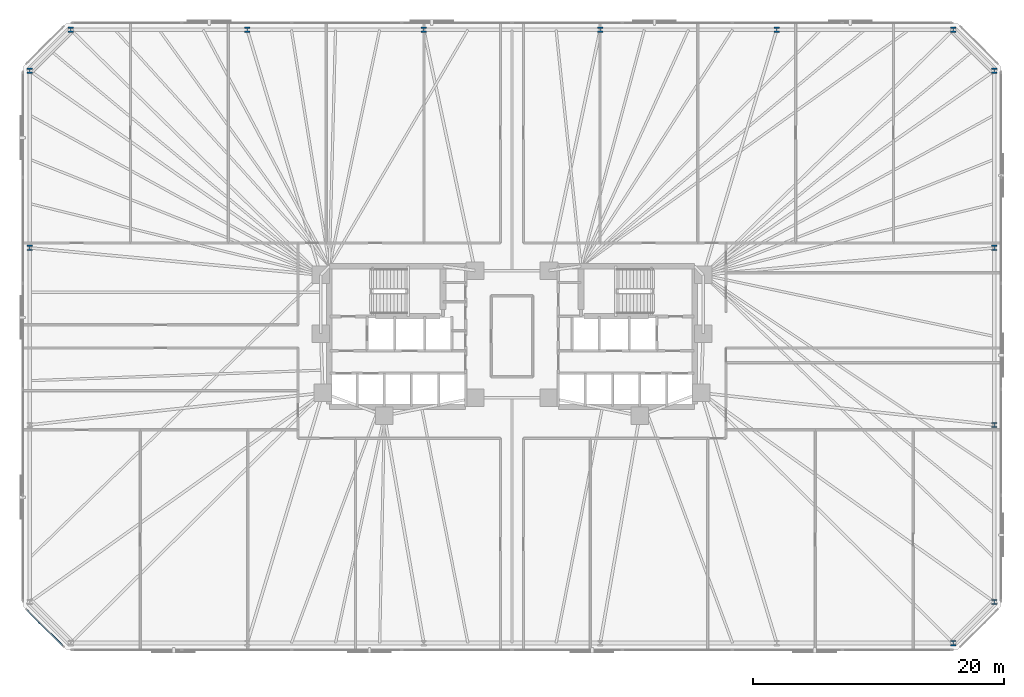
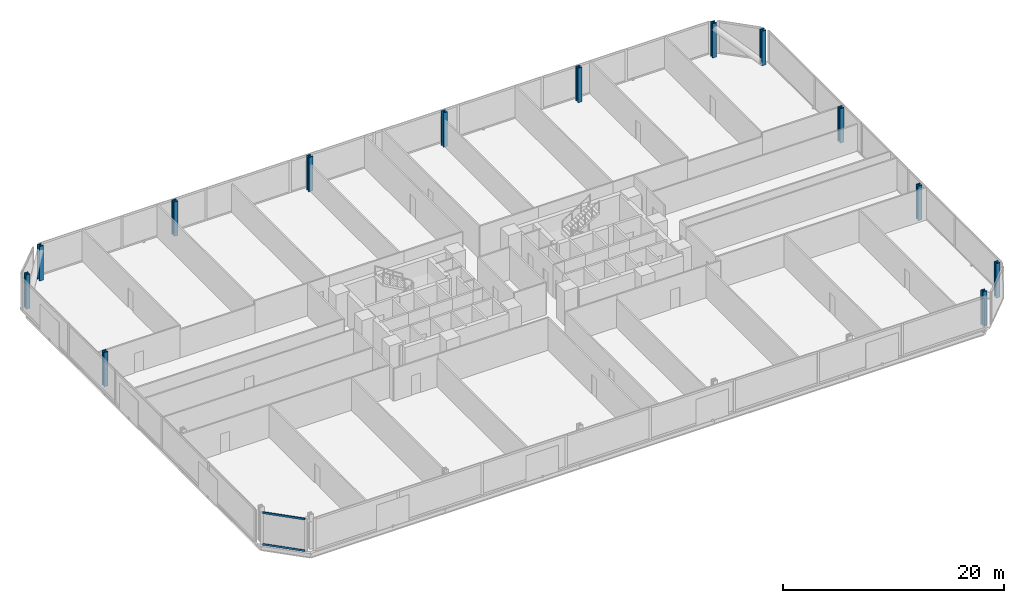
# One storey, part 5 of 17: 13 columns, 2 members, 1 element without a shape of its own.
"""IFC4 building model written with IfcOpenShell, lengths in metres."""

from ifc_helpers import new_model, si_unit, direction, frame, origin, origin_2d, place, context, subcontext, project, spatial, rectangle, i_section, extrude, material, material_profile, profile_set, type_object, element, aggregate, save


model = new_model("IFC4")

# Units and contexts
model_context = context("Model", 3, precision=1e-05, world=origin(), true_north=direction((0.0, 1.0)))
body_context = subcontext(model_context, "Body", "Model", "MODEL_VIEW")
ifc_project = project(units=[si_unit("LENGTHUNIT", "METRE"), si_unit("AREAUNIT", "SQUARE_METRE"), si_unit("VOLUMEUNIT", "CUBIC_METRE"), si_unit("PLANEANGLEUNIT", "RADIAN"), si_unit("MASSUNIT", "GRAM", prefix="KILO")], contexts=[model_context])

# Site, building, storey
site_placement = place(None, origin())
site = spatial("IfcSite", under=ifc_project, at=site_placement, CompositionType="ELEMENT")
building_placement = place(site_placement, origin())
building = spatial("IfcBuilding", under=site, at=building_placement, Name="Menara Jurai Vektor", CompositionType="ELEMENT")
storey_placement = place(building_placement, frame((0.0, 0.0, 37.0)))
storey = spatial("IfcBuildingStorey", under=building, at=storey_placement, Name="L08", CompositionType="ELEMENT", Elevation=37.0)

# Columns
ifc_material_1 = material(Name="Steel S460", Category="steel")
ifc_material_profile_1 = material_profile(ifc_material_1, i_section(OverallWidth=0.419921875, OverallDepth=0.430908203125, WebThickness=0.06494140625, FlangeThickness=0.10595703125, FilletRadius=0.014892578125, at=origin_2d()), Name="HD 400x900")
ifc_profile_set_1 = profile_set([ifc_material_profile_1], Name="Steel S460")
column_type = type_object("IfcColumnType", Name="STR-EXO-BLK1", PredefinedType="COLUMN", material=ifc_profile_set_1)
for number, where, z_axis, x_axis, name in (
    (1, (35.177734375, -24.449951171875, 0.0), (0.0, 0.0, 1.0), (1.0, 0.0, 0.0), "Exoskeleton Column BLK1-S6 L08"),
    (2, (38.449951171875, -21.177734375, 0.0), (0.0, 0.0, 1.0), (1.0, 0.0, 0.0), "Exoskeleton Column BLK1-E1 L08"),
    (3, (38.449951171875, -7.059326171875, 0.0), (0.0, 0.0, 1.0), (1.0, 0.0, 0.0), "Exoskeleton Column BLK1-E2 L08"),
    (4, (38.449951171875, 7.059326171875, 0.0), (0.0, 0.0, 1.0), (1.0, 0.0, 0.0), "Exoskeleton Column BLK1-E3 L08"),
    (5, (38.449951171875, 21.177734375, 0.0), (0.0, 0.0, 1.0), (1.0, 0.0, 0.0), "Exoskeleton Column BLK1-E4 L08"),
    (6, (35.177734375, 24.449951171875, 0.0), (0.0, 0.0, 1.0), (1.0, 0.0, 0.0), "Exoskeleton Column BLK1-N1 L08"),
    (7, (21.106689453125, 24.449951171875, 0.0), (0.0, 0.0, 1.0), (1.0, 0.0, 0.0), "Exoskeleton Column BLK1-N2 L08"),
    (8, (7.03564453125, 24.449951171875, 0.0), (0.0, 0.0, 1.0), (1.0, 0.0, 0.0), "Exoskeleton Column BLK1-N3 L08"),
    (9, (-7.03564453125, 24.449951171875, 0.0), (0.0, 0.0, 1.0), (1.0, 0.0, 0.0), "Exoskeleton Column BLK1-N4 L08"),
    (10, (-21.106689453125, 24.449951171875, 0.0), (0.0, 0.0, 1.0), (1.0, 0.0, 0.0), "Exoskeleton Column BLK1-N5 L08"),
    (11, (-35.177734375, 24.449951171875, 0.0), (0.0, 0.0, 1.0), (1.0, 0.0, 0.0), "Exoskeleton Column BLK1-N6 L08"),
    (12, (-38.449951171875, 21.177734375, 0.0), (0.0, 0.0, 1.0), (1.0, 0.0, 0.0), "Exoskeleton Column BLK1-W1 L08"),
    (13, (-38.449951171875, 7.059326171875, 0.0), (0.0, 0.0, 1.0), (1.0, 0.0, 0.0), "Exoskeleton Column BLK1-W2 L08"),
):
    element("IfcColumn", number, at=place(storey_placement, frame(where, z_axis=z_axis, x_axis=x_axis)), inside=storey, type_object=column_type, Name=name, PredefinedType="COLUMN", context=body_context, shape_type="SweptSolid", body=[
        extrude(i_section(OverallWidth=0.419921875, OverallDepth=0.430908203125, WebThickness=0.06494140625, FlangeThickness=0.10595703125, FilletRadius=0.014892578125, at=origin_2d()), origin(), (0.0, 0.0, 1.0), 3.800048828125),
    ])

# Curtain wall, members
ifc_material_2 = material(Name="Anodised Pale Aluminium & Low-E Double Glazing", Category="aluminium")
curtain_wall_type = type_object("IfcCurtainWallType", Name="CW-BLK1", PredefinedType="NOTDEFINED", material=ifc_material_2)
curtain_wall_placement = place(storey_placement, origin())
curtain_wall = element("IfcCurtainWall", 14, at=curtain_wall_placement, inside=storey, type_object=curtain_wall_type, Name="Unitised Curtain Wall L08 F08", PredefinedType="NOTDEFINED")
ifc_material_3 = material(Name="Anodised Pale Aluminium Transom", Category="aluminium")
ifc_material_profile_2 = material_profile(ifc_material_3, rectangle(XDim=0.094970703125, YDim=0.199951171875, at=origin_2d()), Name="ALU TRN 95x200")
ifc_profile_set_2 = profile_set([ifc_material_profile_2], Name="Anodised Pale Aluminium Transom")
member_type = type_object("IfcMemberType", Name="CW-BLK1-TRN", PredefinedType="USERDEFINED", material=ifc_profile_set_2)
member_1_placement = place(storey_placement, frame((-38.6640625, -21.8359375, 0.047607421875), z_axis=(0.707106781187, -0.707106781187, 0.0), x_axis=(0.707106781187, 0.707106781187, 0.0)))
member_1 = element("IfcMember", 15, at=member_1_placement, type_object=member_type, Name="CW-01 transom 1.1", ObjectType="TRANSOM", PredefinedType="USERDEFINED", context=body_context, shape_type="SweptSolid", body=[
    extrude(rectangle(XDim=0.094970703125, YDim=0.199951171875, at=origin_2d()), origin(), (0.0, 0.0, 1.0), 3.99951171875),
])
member_2_placement = place(storey_placement, frame((-38.6640625, -21.8359375, 3.527587890625), z_axis=(0.707106781187, -0.707106781187, 0.0), x_axis=(0.707106781187, 0.707106781187, 0.0)))
member_2 = element("IfcMember", 16, at=member_2_placement, type_object=member_type, Name="CW-01 transom 1.2", ObjectType="TRANSOM", PredefinedType="USERDEFINED", context=body_context, shape_type="SweptSolid", body=[
    extrude(rectangle(XDim=0.094970703125, YDim=0.199951171875, at=origin_2d()), origin(), (0.0, 0.0, 1.0), 3.99951171875),
])
aggregate(curtain_wall, [member_1, member_2])

save(model, "model.ifc")
